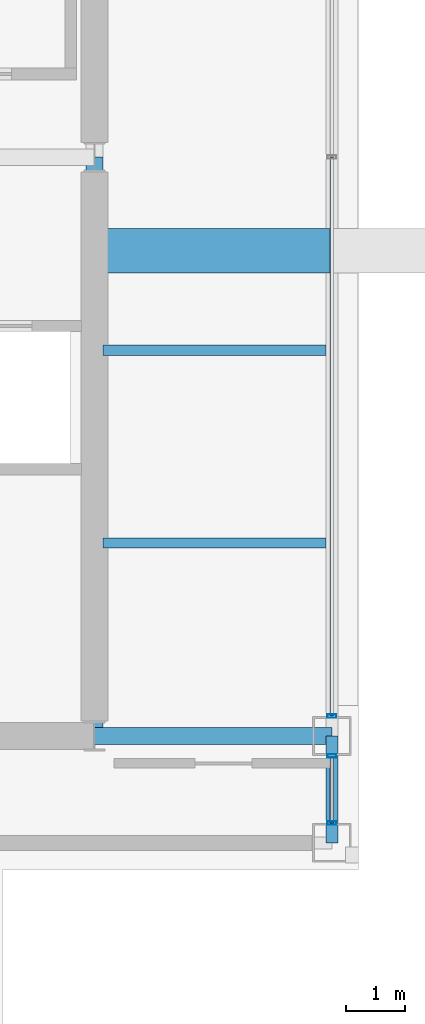
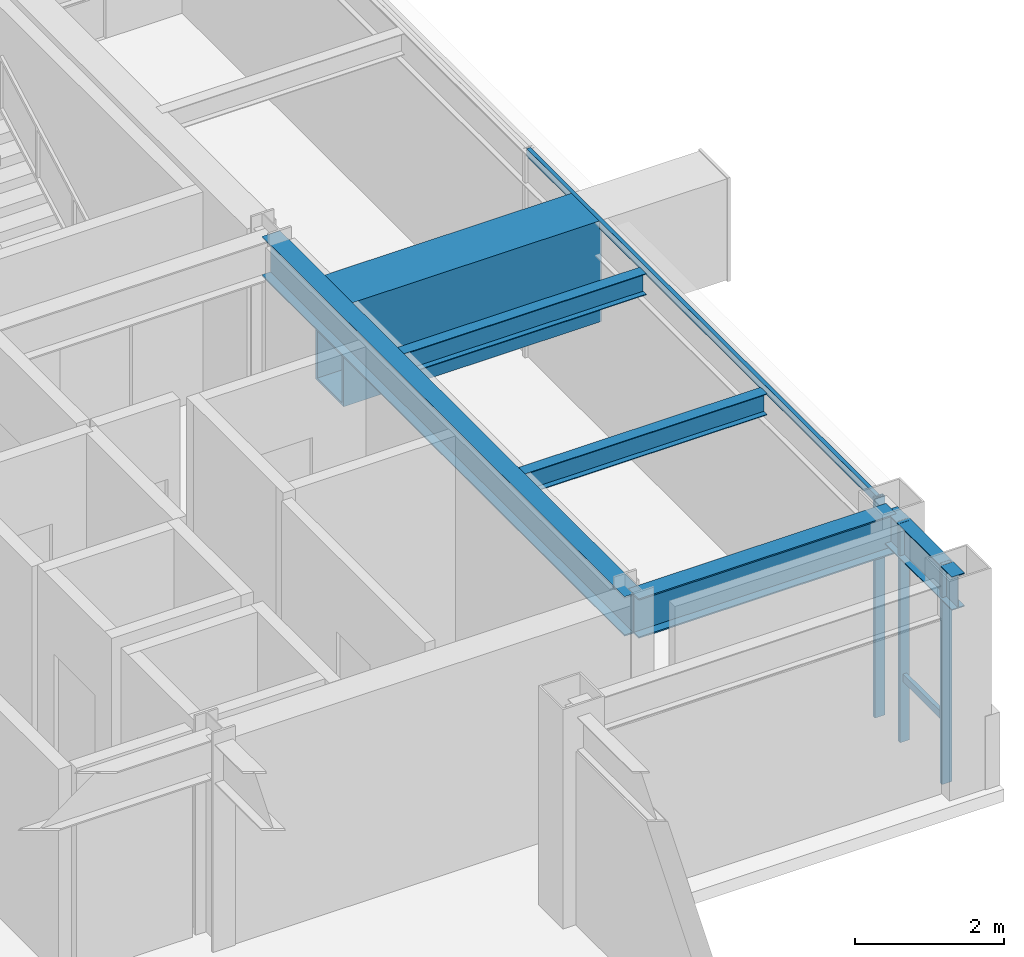
# One storey, part 10 of 20: 6 beams, 5 members, 2 elements without a shape of their own.
"""IFC4 building model written with IfcOpenShell, lengths in metres."""

from ifc_helpers import new_model, si_unit, direction, frame, origin, origin_2d, place, context, subcontext, project, spatial, hollow_rectangle, i_section, extrude, material, layer, layer_set, material_profile, profile_set, type_object, element, aggregate, save


model = new_model("IFC4")

# Units and contexts
model_context = context("Model", 3, precision=1e-05, world=origin(), true_north=direction((0.0, 1.0)))
body_context = subcontext(model_context, "Body", "Model", "MODEL_VIEW")
ifc_project = project(units=[si_unit("LENGTHUNIT", "METRE"), si_unit("AREAUNIT", "SQUARE_METRE"), si_unit("VOLUMEUNIT", "CUBIC_METRE"), si_unit("PLANEANGLEUNIT", "RADIAN"), si_unit("MASSUNIT", "GRAM", prefix="KILO")], contexts=[model_context])

# Site, building, storey
site_placement = place(None, origin())
site = spatial("IfcSite", under=ifc_project, at=site_placement, CompositionType="ELEMENT")
building_placement = place(site_placement, origin())
building = spatial("IfcBuilding", under=site, at=building_placement, Name="Brelmoor Portico Tower", CompositionType="ELEMENT")
storey_placement = place(building_placement, frame((0.0, 0.0, 218.39990234375)))
storey = spatial("IfcBuildingStorey", under=building, at=storey_placement, Name="L57", CompositionType="ELEMENT", Elevation=218.39990234375)

# Beams
ifc_material_1 = material(Name="Steel Q355B", Category="steel")
ifc_material_profile_1 = material_profile(ifc_material_1, i_section(OverallWidth=0.175048828125, OverallDepth=0.35009765625, WebThickness=0.007080078125, FlangeThickness=0.010986328125, at=origin_2d()), Name="HN 350x175x7x11")
ifc_profile_set_1 = profile_set([ifc_material_profile_1], Name="Steel Q355B")
beam_type_1 = type_object("IfcBeamType", Name="BM-JS-350", PredefinedType="JOIST", material=ifc_profile_set_1)
for number, where, z_axis, x_axis, name in (
    (1, (14.68994140625, -6.5, 3.22509765625), (1.0, 0.0, 0.0), (0.0, 1.0, 0.0), "L57 Secondary Wing Joist JS-E11"),
    (2, (14.68994140625, -3.25, 3.22509765625), (1.0, 0.0, 0.0), (0.0, 1.0, 0.0), "L57 Secondary Wing Joist JS-E12"),
):
    element("IfcBeam", number, at=place(storey_placement, frame(where, z_axis=z_axis, x_axis=x_axis)), inside=storey, type_object=beam_type_1, Name=name, PredefinedType="JOIST", context=body_context, shape_type="SweptSolid", body=[
        extrude(i_section(OverallWidth=0.175048828125, OverallDepth=0.35009765625, WebThickness=0.007080078125, FlangeThickness=0.010986328125, at=origin_2d()), origin(), (0.0, 0.0, 1.0), 3.760009765625),
    ])
ifc_material_profile_2 = material_profile(ifc_material_1, i_section(OverallWidth=0.280029296875, OverallDepth=0.64990234375, WebThickness=0.012939453125, FlangeThickness=0.02197265625, at=origin_2d()), Name="HN 650x280x13x22")
ifc_profile_set_2 = profile_set([ifc_material_profile_2], Name="Steel Q355B")
beam_type_2 = type_object("IfcBeamType", Name="BM-PG-650", PredefinedType="BEAM", material=ifc_profile_set_2)
beam_1_placement = place(storey_placement, frame((14.550048828125, -9.75, 3.0751953125), z_axis=(0.0, 1.0, 0.0), x_axis=(-1.0, 0.0, 0.0)))
element("IfcBeam", 3, at=beam_1_placement, inside=storey, type_object=beam_type_2, Name="L57 Primary Floor Girder PG-09", PredefinedType="BEAM", context=body_context, shape_type="SweptSolid", body=[
    extrude(i_section(OverallWidth=0.280029296875, OverallDepth=0.64990234375, WebThickness=0.012939453125, FlangeThickness=0.02197265625, at=origin_2d()), origin(), (0.0, 0.0, 1.0), 9.75),
])
beam_2_placement = place(storey_placement, frame((14.550048828125, -9.75, 3.0751953125), z_axis=(1.0, 0.0, 0.0), x_axis=(0.0, 1.0, 0.0)))
element("IfcBeam", 4, at=beam_2_placement, inside=storey, type_object=beam_type_2, Name="L57 Primary Floor Girder PG-15", PredefinedType="BEAM", context=body_context, shape_type="SweptSolid", body=[
    extrude(i_section(OverallWidth=0.280029296875, OverallDepth=0.64990234375, WebThickness=0.012939453125, FlangeThickness=0.02197265625, at=origin_2d()), origin(), (0.0, 0.0, 1.0), 4.0),
])
ifc_material_profile_3 = material_profile(ifc_material_1, i_section(OverallWidth=0.199951171875, OverallDepth=0.550048828125, WebThickness=0.010009765625, FlangeThickness=0.01611328125, at=origin_2d()), Name="HN 550x200x10x16")
ifc_profile_set_3 = profile_set([ifc_material_profile_3], Name="Steel Q355B")
beam_type_3 = type_object("IfcBeamType", Name="BM-SP-550", PredefinedType="SPANDREL", material=ifc_profile_set_3)
beam_3_placement = place(storey_placement, frame((18.550048828125, -11.550048828125, 3.125), z_axis=(0.0, 1.0, 0.0), x_axis=(-1.0, 0.0, 0.0)))
element("IfcBeam", 5, at=beam_3_placement, inside=storey, type_object=beam_type_3, Name="L57 Perimeter Spandrel Beam SP-18", PredefinedType="SPANDREL", context=body_context, shape_type="SweptSolid", body=[
    extrude(i_section(OverallWidth=0.199951171875, OverallDepth=0.550048828125, WebThickness=0.010009765625, FlangeThickness=0.01611328125, at=origin_2d()), origin(), (0.0, 0.0, 1.0), 1.800048828125),
])
ifc_material_profile_4 = material_profile(ifc_material_1, hollow_rectangle(XDim=0.75, YDim=1.659912109375, WallThickness=0.0419921875, at=origin_2d()), Name="BOX 750x1660x42")
ifc_profile_set_4 = profile_set([ifc_material_profile_4], Name="Steel Q355B")
beam_type_4 = type_object("IfcBeamType", Name="BM-TG-Z2", PredefinedType="BEAM", material=ifc_profile_set_4)
beam_4_placement = place(storey_placement, frame((14.550048828125, -1.580078125, 2.570068359375), z_axis=(1.0, 0.0, 0.0), x_axis=(0.0, 1.0, 0.0)))
element("IfcBeam", 6, at=beam_4_placement, inside=storey, type_object=beam_type_4, Name="L57 Picture-Frame Backspan Transfer Girder PFBS-03", PredefinedType="BEAM", context=body_context, shape_type="SweptSolid", body=[
    extrude(hollow_rectangle(XDim=0.75, YDim=1.659912109375, WallThickness=0.0419921875, at=origin_2d()), origin(), (0.0, 0.0, 1.0), 4.0),
])

# Curtain wall, members
ifc_material_2 = material(Name="Anodised Aluminium Alloy 6063-T6", Category="aluminium")
ifc_layer_1 = layer(ifc_material_2, 0.179931640625)
ifc_layer_set_1 = layer_set([ifc_layer_1], Name="Anodised Aluminium Alloy 6063-T6")
curtain_wall_type_1 = type_object("IfcCurtainWallType", Name="CW-TOWER-Z4", PredefinedType="NOTDEFINED", material=ifc_layer_set_1)
curtain_wall_1_placement = place(storey_placement, origin())
curtain_wall_1 = element("IfcCurtainWall", 7, at=curtain_wall_1_placement, inside=storey, type_object=curtain_wall_type_1, Name="L57 Curtain Wall CW-L57-04-1", PredefinedType="NOTDEFINED")
ifc_material_profile_5 = material_profile(ifc_material_2, hollow_rectangle(XDim=0.06005859375, YDim=0.14990234375, WallThickness=0.00390625, at=origin_2d()), Name="ALU MULLION 60x150")
ifc_profile_set_5 = profile_set([ifc_material_profile_5], Name="Anodised Aluminium Alloy 6063-T6")
member_type_1 = type_object("IfcMemberType", Name="MB-CW-MULL-150", PredefinedType="MULLION", material=ifc_profile_set_5)
member_1_placement = place(storey_placement, frame((18.550048828125, -11.215087890625, -0.199951171875), z_axis=(0.0, 0.0, 1.0), x_axis=(0.0, 1.0, 0.0)))
member_1 = element("IfcMember", 8, at=member_1_placement, type_object=member_type_1, Name="CW-L57-04-1 Mullion 00", PredefinedType="MULLION", context=body_context, shape_type="SweptSolid", body=[
    extrude(hollow_rectangle(XDim=0.06005859375, YDim=0.14990234375, WallThickness=0.00390625, at=origin_2d()), origin(), (0.0, 0.0, 1.0), 3.60009765625),
])
member_2_placement = place(storey_placement, frame((18.550048828125, -10.0849609375, -0.199951171875), z_axis=(0.0, 0.0, 1.0), x_axis=(0.0, 1.0, 0.0)))
member_2 = element("IfcMember", 9, at=member_2_placement, type_object=member_type_1, Name="CW-L57-04-1 Mullion 01", PredefinedType="MULLION", context=body_context, shape_type="SweptSolid", body=[
    extrude(hollow_rectangle(XDim=0.06005859375, YDim=0.14990234375, WallThickness=0.00390625, at=origin_2d()), origin(), (0.0, 0.0, 1.0), 3.60009765625),
])

# Curtain wall, member
ifc_layer_2 = layer(ifc_material_2, 0.179931640625)
ifc_layer_set_2 = layer_set([ifc_layer_2], Name="Anodised Aluminium Alloy 6063-T6")
curtain_wall_type_2 = type_object("IfcCurtainWallType", Name="CW-TOWER-Z4-XB", PredefinedType="NOTDEFINED", material=ifc_layer_set_2)
curtain_wall_2_placement = place(storey_placement, origin())
curtain_wall_2 = element("IfcCurtainWall", 10, at=curtain_wall_2_placement, inside=storey, type_object=curtain_wall_type_2, Name="L57 Curtain Wall CW-L57-04-2", PredefinedType="NOTDEFINED")
member_3_placement = place(storey_placement, frame((18.550048828125, -9.4150390625, -0.199951171875), z_axis=(0.0, 0.0, 1.0), x_axis=(0.0, 1.0, 0.0)))
member_3 = element("IfcMember", 11, at=member_3_placement, type_object=member_type_1, Name="CW-L57-04-2 Mullion 00", PredefinedType="MULLION", context=body_context, shape_type="SweptSolid", body=[
    extrude(hollow_rectangle(XDim=0.06005859375, YDim=0.14990234375, WallThickness=0.00390625, at=origin_2d()), origin(), (0.0, 0.0, 1.0), 3.60009765625),
])

# Member
ifc_material_profile_6 = material_profile(ifc_material_2, hollow_rectangle(XDim=0.06005859375, YDim=0.125, WallThickness=0.00341796875, at=origin_2d()), Name="ALU TRANSOM 60x125")
ifc_profile_set_6 = profile_set([ifc_material_profile_6], Name="Anodised Aluminium Alloy 6063-T6")
member_type_2 = type_object("IfcMemberType", Name="MB-CW-TRAN-125", PredefinedType="USERDEFINED", material=ifc_profile_set_6)
member_4_placement = place(storey_placement, frame((18.550048828125, -11.215087890625, 0.85009765625), z_axis=(0.0, 1.0, 0.0), x_axis=(-1.0, 0.0, 0.0)))
member_4 = element("IfcMember", 12, at=member_4_placement, type_object=member_type_2, Name="CW-L57-04-1 Transom 1-00", ObjectType="TRANSOM", PredefinedType="USERDEFINED", context=body_context, shape_type="SweptSolid", body=[
    extrude(hollow_rectangle(XDim=0.06005859375, YDim=0.125, WallThickness=0.00341796875, at=origin_2d()), origin(), (0.0, 0.0, 1.0), 1.130126953125),
])

aggregate(curtain_wall_1, [member_1, member_2, member_4])

member_5_placement = place(storey_placement, frame((18.550048828125, -9.4150390625, 3.337646484375), z_axis=(0.0, 1.0, 0.0), x_axis=(-1.0, 0.0, 0.0)))
member_5 = element("IfcMember", 13, at=member_5_placement, type_object=member_type_2, Name="CW-L57-04-2 Transom 1-00", ObjectType="TRANSOM", PredefinedType="USERDEFINED", context=body_context, shape_type="SweptSolid", body=[
    extrude(hollow_rectangle(XDim=0.06005859375, YDim=0.125, WallThickness=0.00341796875, at=origin_2d()), origin(), (0.0, 0.0, 1.0), 9.4150390625),
])

aggregate(curtain_wall_2, [member_3, member_5])

save(model, "model.ifc")
